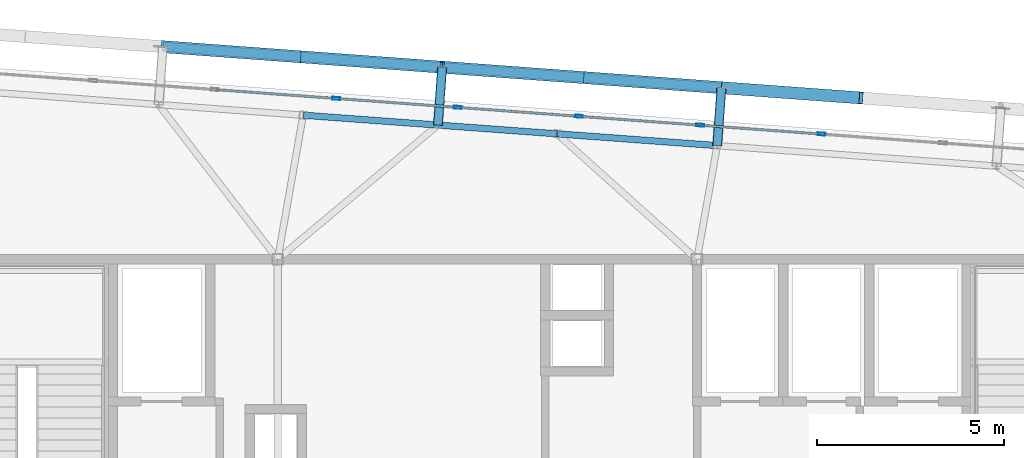
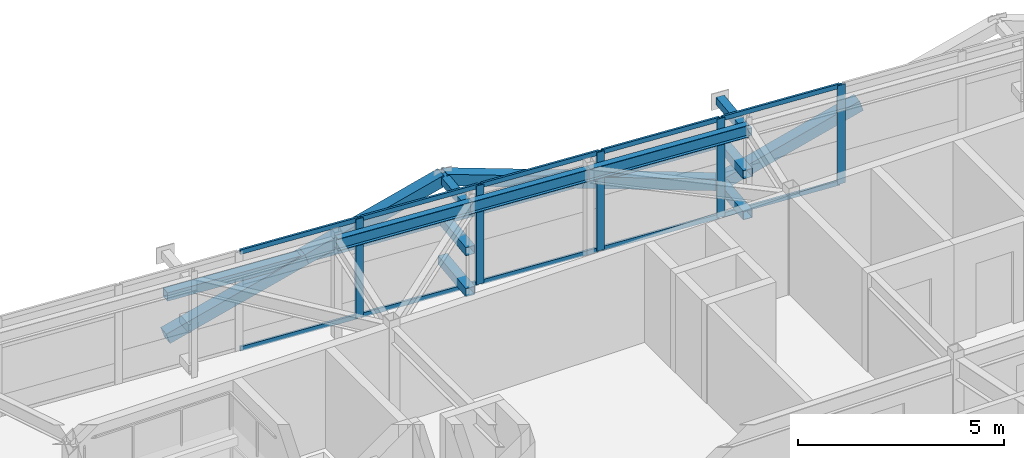
# One storey, part 27 of 42: 28 members, 3 beams, 1 element without a shape of its own.
"""IFC4 building model written with IfcOpenShell, lengths in metres."""

from ifc_helpers import new_model, si_unit, direction, frame, origin, origin_2d, place, context, subcontext, project, spatial, hollow_rectangle, i_section, extrude, source, transform, mapped, material, layer, layer_set, material_profile, profile_set, type_object, element, aggregate, save


model = new_model("IFC4")

# Units and contexts
model_context = context("Model", 3, precision=1e-05, world=origin(), true_north=direction((0.0, 1.0)))
body_context = subcontext(model_context, "Body", "Model", "MODEL_VIEW")
ifc_project = project(units=[si_unit("LENGTHUNIT", "METRE"), si_unit("AREAUNIT", "SQUARE_METRE"), si_unit("VOLUMEUNIT", "CUBIC_METRE"), si_unit("PLANEANGLEUNIT", "RADIAN"), si_unit("MASSUNIT", "GRAM", prefix="KILO")], contexts=[model_context])

# Site, building, storey
site_placement = place(None, origin())
site = spatial("IfcSite", under=ifc_project, at=site_placement, CompositionType="ELEMENT")
building_placement = place(site_placement, origin())
building = spatial("IfcBuilding", under=site, at=building_placement, Name="Taldren Reach Tower", CompositionType="ELEMENT")
storey_placement = place(building_placement, frame((0.0, 0.0, 220.85009765625)))
storey = spatial("IfcBuildingStorey", under=building, at=storey_placement, Name="L67", CompositionType="ELEMENT", Elevation=220.85009765625)

# Members
ifc_material_1 = material(Name="Steel Gr 350 (C350L0)", Category="steel")
ifc_material_profile_1 = material_profile(ifc_material_1, hollow_rectangle(XDim=0.25, YDim=0.25, WallThickness=0.010009765625, at=origin_2d()), Name="250x250x10.0SHS")
ifc_profile_set_1 = profile_set([ifc_material_profile_1], Name="Steel Gr 350 (C350L0)")
member_type_1 = type_object("IfcMemberType", Name="MB-POST250", PredefinedType="POST", material=ifc_profile_set_1)
shared_shape_1 = source(origin(), body_context, "Body", "SweptSolid", [
    extrude(hollow_rectangle(XDim=0.25, YDim=0.25, WallThickness=0.010009765625, at=origin_2d()), origin(), (0.0, 0.0, 1.0), 1.550048828125),
])
for number, where, z_axis, x_axis, name in (
    (1, (32.279541015625, 35.583251953125, 0.219970703125), (0.07323929162, 0.997314396849, 0.0), (-0.997314396849, 0.07323929162, 0.0), "Exoskeleton base diaphragm tie strut B5-N3 L67"),
    (2, (39.739501953125, 35.035400390625, 0.219970703125), (0.07323929162, 0.997314396849, 0.0), (-0.997314396849, 0.07323929162, 0.0), "Exoskeleton base diaphragm tie strut B5-N4 L67"),
    (3, (32.279541015625, 35.583251953125, 1.434814453125), (0.07323929162, 0.997314396849, 0.0), (-0.997314396849, 0.07323929162, 0.0), "Exoskeleton mid-tier diaphragm tie B5-N3 L67"),
    (4, (39.739501953125, 35.035400390625, 1.434814453125), (0.07323929162, 0.997314396849, 0.0), (-0.997314396849, 0.07323929162, 0.0), "Exoskeleton mid-tier diaphragm tie B5-N4 L67"),
):
    element("IfcMember", number, at=place(storey_placement, frame(where, z_axis=z_axis, x_axis=x_axis)), inside=storey, type_object=member_type_1, Name=name, PredefinedType="POST", context=body_context, shape_type="MappedRepresentation", body=[
        mapped(shared_shape_1, transform((0.0, 0.0, 0.0), scale=1.0)),
    ])
ifc_material_2 = material(Name="Steel Gr 450 (C450L0)", Category="steel")
ifc_material_profile_2 = material_profile(ifc_material_2, hollow_rectangle(XDim=0.219970703125, YDim=0.219970703125, WallThickness=0.00830078125, at=origin_2d()), Name="220x220x8.2SHS")
ifc_profile_set_2 = profile_set([ifc_material_profile_2], Name="Steel Gr 450 (C450L0)")
member_type_2 = type_object("IfcMemberType", Name="MB-TIE219", PredefinedType="STRUT", material=ifc_profile_set_2)
shared_shape_2 = source(origin(), body_context, "Body", "SweptSolid", [
    extrude(hollow_rectangle(XDim=0.219970703125, YDim=0.219970703125, WallThickness=0.00830078125, at=origin_2d()), origin(), (0.0, 0.0, 1.0), 1.550048828125),
])
for number, where, z_axis, x_axis, name in (
    (5, (32.279541015625, 35.583251953125, 2.64990234375), (0.07323929162, 0.997314396849, 0.0), (-0.997314396849, 0.07323929162, 0.0), "Exoskeleton diaphragm tie strut B5-N3 L67"),
    (6, (39.739501953125, 35.035400390625, 2.64990234375), (0.07323929162, 0.997314396849, 0.0), (-0.997314396849, 0.07323929162, 0.0), "Exoskeleton diaphragm tie strut B5-N4 L67"),
):
    element("IfcMember", number, at=place(storey_placement, frame(where, z_axis=z_axis, x_axis=x_axis)), inside=storey, type_object=member_type_2, Name=name, PredefinedType="STRUT", context=body_context, shape_type="MappedRepresentation", body=[
        mapped(shared_shape_2, transform((0.0, 0.0, 0.0), scale=1.0)),
    ])

# Beams
ifc_material_3 = material(Name="Steel Gr 350 (350PLUS)", Category="steel")
ifc_material_profile_3 = material_profile(ifc_material_3, i_section(OverallWidth=0.172119140625, OverallDepth=0.35888671875, WebThickness=0.008056640625, FlangeThickness=0.012939453125, at=origin_2d()), Name="360UB56.7")
ifc_profile_set_3 = profile_set([ifc_material_profile_3], Name="Steel Gr 350 (350PLUS)")
beam_type = type_object("IfcBeamType", Name="SP-UB360", PredefinedType="SPANDREL", material=ifc_profile_set_3)
shared_shape_3 = source(origin(), body_context, "Body", "SweptSolid", [
    extrude(i_section(OverallWidth=0.172119140625, OverallDepth=0.35888671875, WebThickness=0.008056640625, FlangeThickness=0.012939453125, at=origin_2d()), origin(), (0.0, 0.0, 1.0), 4.2900390625),
])
beam_1_placement = place(storey_placement, frame((39.739501953125, 35.035400390625, 2.75048828125), z_axis=(-0.997314292471, 0.073240712948, 0.0), x_axis=(-0.073240712948, -0.997314292471, 0.0)))
element("IfcBeam", 7, at=beam_1_placement, inside=storey, type_object=beam_type, Name="Perimeter spandrel B5 N4-PJN2 L67", PredefinedType="SPANDREL", context=body_context, shape_type="MappedRepresentation", body=[
    mapped(shared_shape_3, transform((0.0, 0.0, 0.0), scale=1.0)),
])
shared_shape_4 = source(origin(), body_context, "Body", "SweptSolid", [
    extrude(i_section(OverallWidth=0.172119140625, OverallDepth=0.35888671875, WebThickness=0.008056640625, FlangeThickness=0.012939453125, at=origin_2d()), origin(), (0.0, 0.0, 1.0), 3.18994140625),
])
beam_2_placement = place(storey_placement, frame((35.4609375, 35.349609375, 2.75048828125), z_axis=(-0.99731412404, 0.073243006424, 0.0), x_axis=(-0.073243006424, -0.99731412404, 0.0)))
element("IfcBeam", 8, at=beam_2_placement, inside=storey, type_object=beam_type, Name="Perimeter spandrel B5 PJN2-N3 L67", PredefinedType="SPANDREL", context=body_context, shape_type="MappedRepresentation", body=[
    mapped(shared_shape_4, transform((0.0, 0.0, 0.0), scale=1.0)),
])
shared_shape_5 = source(origin(), body_context, "Body", "SweptSolid", [
    extrude(i_section(OverallWidth=0.172119140625, OverallDepth=0.35888671875, WebThickness=0.008056640625, FlangeThickness=0.012939453125, at=origin_2d()), origin(), (0.0, 0.0, 1.0), 3.610107421875),
])
beam_3_placement = place(storey_placement, frame((32.279541015625, 35.583251953125, 2.75048828125), z_axis=(-0.997314240042, 0.073241426864, 0.0), x_axis=(-0.073241426864, -0.997314240042, 0.0)))
element("IfcBeam", 9, at=beam_3_placement, inside=storey, type_object=beam_type, Name="Perimeter spandrel B5 N3-PJN1 L67", PredefinedType="SPANDREL", context=body_context, shape_type="MappedRepresentation", body=[
    mapped(shared_shape_5, transform((0.0, 0.0, 0.0), scale=1.0)),
])

# Members
ifc_material_profile_4 = material_profile(ifc_material_2, hollow_rectangle(XDim=0.324951171875, YDim=0.324951171875, WallThickness=0.0126953125, at=origin_2d()), Name="325x325x12.7SHS")
ifc_profile_set_4 = profile_set([ifc_material_profile_4], Name="Steel Gr 450 (C450L0)")
member_type_3 = type_object("IfcMemberType", Name="MB-BR324", PredefinedType="BRACE", material=ifc_profile_set_4)
shared_shape_6 = source(origin(), body_context, "Body", "SweptSolid", [
    extrude(hollow_rectangle(XDim=0.324951171875, YDim=0.324951171875, WallThickness=0.0126953125, at=origin_2d()), origin(), (0.0, 0.0, 1.0), 3.932373046875),
])
for number, where, z_axis, x_axis, name in (
    (10, (24.93310546875, 37.677001953125, 0.219970703125), (0.948529326954, -0.06965898055, 0.308933232813), (0.07324169103, 0.997314220642, 0.0), "Exoskeleton Diagrid Brace B5-N2 L67"),
    (11, (28.6630859375, 37.403076171875, 1.434814453125), (0.948511132845, -0.069657644394, 0.308989390507), (0.07324169103, 0.997314220642, 0.0), "Exoskeleton Diagrid Brace B5-N2 L67"),
    (12, (39.85302734375, 36.581298828125, 0.219970703125), (-0.948529326954, 0.06965898055, 0.308933232813), (-0.07324169103, -0.997314220642, 0.0), "Exoskeleton Diagrid Brace B5-N3 L67"),
    (13, (36.123046875, 36.855224609375, 1.434814453125), (-0.948511132845, 0.069657644394, 0.308989390507), (-0.07324169103, -0.997314220642, 0.0), "Exoskeleton Diagrid Brace B5-N3 L67"),
    (14, (39.85302734375, 36.581298828125, 0.219970703125), (0.948529326954, -0.06965898055, 0.308933232813), (0.07324169103, 0.997314220642, 0.0), "Exoskeleton Diagrid Brace B5-N4 L67"),
):
    element("IfcMember", number, at=place(storey_placement, frame(where, z_axis=z_axis, x_axis=x_axis)), inside=storey, type_object=member_type_3, Name=name, PredefinedType="BRACE", context=body_context, shape_type="MappedRepresentation", body=[
        mapped(shared_shape_6, transform((0.0, 0.0, 0.0), scale=1.0)),
    ])
shared_shape_7 = source(origin(), body_context, "Body", "SweptSolid", [
    extrude(hollow_rectangle(XDim=0.25, YDim=0.25, WallThickness=0.010009765625, at=origin_2d()), origin(), (0.0, 0.0, 1.0), 7.47998046875),
])
for number, where, z_axis, x_axis, name in (
    (15, (24.93310546875, 37.677001953125, 1.434814453125), (0.997314220642, -0.07324169103, 0.0), (0.07324169103, 0.997314220642, 0.0), "Exoskeleton mid-height ring chord B5-N2 L67"),
    (16, (32.39306640625, 37.129150390625, 1.434814453125), (0.997314220642, -0.07324169103, 0.0), (0.07324169103, 0.997314220642, 0.0), "Exoskeleton mid-height ring chord B5-N3 L67"),
):
    element("IfcMember", number, at=place(storey_placement, frame(where, z_axis=z_axis, x_axis=x_axis)), inside=storey, type_object=member_type_1, Name=name, PredefinedType="POST", context=body_context, shape_type="MappedRepresentation", body=[
        mapped(shared_shape_7, transform((0.0, 0.0, 0.0), scale=1.0)),
    ])

# Curtain wall, members
ifc_material_4 = material(Name="Aluminium and Low-E Glass Unitised System", Category="aluminium")
ifc_layer = layer(ifc_material_4, 0.159912109375)
ifc_layer_set = layer_set([ifc_layer], Name="Aluminium and Low-E Glass Unitised System")
curtain_wall_type = type_object("IfcCurtainWallType", Name="CW-SYS-6", PredefinedType="NOTDEFINED", material=ifc_layer_set)
curtain_wall_placement = place(storey_placement, origin())
curtain_wall = element("IfcCurtainWall", 17, at=curtain_wall_placement, inside=storey, type_object=curtain_wall_type, Name="Unitised curtain wall CW-L67-N", PredefinedType="NOTDEFINED")
ifc_material_5 = material(Name="Anodised Aluminium 6063-T6", Category="aluminium")
ifc_material_profile_5 = material_profile(ifc_material_5, hollow_rectangle(XDim=0.074951171875, YDim=0.2099609375, WallThickness=0.00439453125, at=origin_2d()), Name="ALU-210x75x4.5RHS")
ifc_profile_set_5 = profile_set([ifc_material_profile_5], Name="Anodised Aluminium 6063-T6")
member_type_4 = type_object("IfcMemberType", Name="CW-MUL-200", PredefinedType="MULLION", material=ifc_profile_set_5)
shared_shape_8 = source(origin(), body_context, "Body", "SweptSolid", [
    extrude(hollow_rectangle(XDim=0.074951171875, YDim=0.2099609375, WallThickness=0.00439453125, at=origin_2d()), origin(), (0.0, 0.0, 1.0), 2.929931640625),
])
member_1_placement = place(storey_placement, frame((42.529541015625, 35.341796875, 0.0), z_axis=(0.0, 0.0, 1.0), x_axis=(-0.073238213716, -0.997314476006, 0.0)))
member_1 = element("IfcMember", 18, at=member_1_placement, type_object=member_type_4, Name="CW-6 mullion 5", PredefinedType="MULLION", context=body_context, shape_type="MappedRepresentation", body=[
    mapped(shared_shape_8, transform((0.0, 0.0, 0.0), scale=1.0)),
])
member_2_placement = place(storey_placement, frame((39.2880859375, 35.579833984375, 0.0), z_axis=(0.0, 0.0, 1.0), x_axis=(-0.073238213716, -0.997314476006, 0.0)))
member_2 = element("IfcMember", 19, at=member_2_placement, type_object=member_type_4, Name="CW-6 mullion 6", PredefinedType="MULLION", context=body_context, shape_type="MappedRepresentation", body=[
    mapped(shared_shape_8, transform((0.0, 0.0, 0.0), scale=1.0)),
])
member_3_placement = place(storey_placement, frame((36.046875, 35.81787109375, 0.0), z_axis=(0.0, 0.0, 1.0), x_axis=(-0.073238213716, -0.997314476006, 0.0)))
member_3 = element("IfcMember", 20, at=member_3_placement, type_object=member_type_4, Name="CW-6 mullion 7", PredefinedType="MULLION", context=body_context, shape_type="MappedRepresentation", body=[
    mapped(shared_shape_8, transform((0.0, 0.0, 0.0), scale=1.0)),
])
member_4_placement = place(storey_placement, frame((32.8056640625, 36.055908203125, 0.0), z_axis=(0.0, 0.0, 1.0), x_axis=(-0.073238213716, -0.997314476006, 0.0)))
member_4 = element("IfcMember", 21, at=member_4_placement, type_object=member_type_4, Name="CW-6 mullion 8", PredefinedType="MULLION", context=body_context, shape_type="MappedRepresentation", body=[
    mapped(shared_shape_8, transform((0.0, 0.0, 0.0), scale=1.0)),
])
member_5_placement = place(storey_placement, frame((29.564453125, 36.2939453125, 0.0), z_axis=(0.0, 0.0, 1.0), x_axis=(-0.073238213716, -0.997314476006, 0.0)))
member_5 = element("IfcMember", 22, at=member_5_placement, type_object=member_type_4, Name="CW-6 mullion 9", PredefinedType="MULLION", context=body_context, shape_type="MappedRepresentation", body=[
    mapped(shared_shape_8, transform((0.0, 0.0, 0.0), scale=1.0)),
])
ifc_material_profile_6 = material_profile(ifc_material_5, hollow_rectangle(XDim=0.06005859375, YDim=0.135009765625, WallThickness=0.00341796875, at=origin_2d()), Name="ALU-135x60x3.5RHS")
ifc_profile_set_6 = profile_set([ifc_material_profile_6], Name="Anodised Aluminium 6063-T6")
member_type_5 = type_object("IfcMemberType", Name="CW-TRN-150", PredefinedType="USERDEFINED", material=ifc_profile_set_6)
shared_shape_9 = source(origin(), body_context, "Body", "SweptSolid", [
    extrude(hollow_rectangle(XDim=0.06005859375, YDim=0.135009765625, WallThickness=0.00341796875, at=origin_2d()), origin(), (0.0, 0.0, 1.0), 3.1748046875),
])
member_6_placement = place(storey_placement, frame((42.491943359375, 35.3447265625, 0.02978515625), z_axis=(-0.997316632709, 0.073208839104, 0.0), x_axis=(-0.073208839104, -0.997316632709, 0.0)))
member_6 = element("IfcMember", 23, at=member_6_placement, type_object=member_type_5, Name="CW-6 transom 5.1", ObjectType="TRANSOM", PredefinedType="USERDEFINED", context=body_context, shape_type="MappedRepresentation", body=[
    mapped(shared_shape_9, transform((0.0, 0.0, 0.0), scale=1.0)),
])
member_7_placement = place(storey_placement, frame((42.491943359375, 35.3447265625, 2.89990234375), z_axis=(-0.997316632709, 0.073208839104, 0.0), x_axis=(-0.073208839104, -0.997316632709, 0.0)))
member_7 = element("IfcMember", 24, at=member_7_placement, type_object=member_type_5, Name="CW-6 transom 5.2", ObjectType="TRANSOM", PredefinedType="USERDEFINED", context=body_context, shape_type="MappedRepresentation", body=[
    mapped(shared_shape_9, transform((0.0, 0.0, 0.0), scale=1.0)),
])
member_8_placement = place(storey_placement, frame((29.52685546875, 36.296630859375, 0.02978515625), z_axis=(-0.997311015151, 0.07328532635, 0.0), x_axis=(-0.07328532635, -0.997311015151, 0.0)))
member_8 = element("IfcMember", 25, at=member_8_placement, type_object=member_type_5, Name="CW-6 transom 9.1", ObjectType="TRANSOM", PredefinedType="USERDEFINED", context=body_context, shape_type="MappedRepresentation", body=[
    mapped(shared_shape_9, transform((0.0, 0.0, 0.0), scale=1.0)),
])
member_9_placement = place(storey_placement, frame((29.52685546875, 36.296630859375, 2.89990234375), z_axis=(-0.997311015151, 0.07328532635, 0.0), x_axis=(-0.07328532635, -0.997311015151, 0.0)))
member_9 = element("IfcMember", 26, at=member_9_placement, type_object=member_type_5, Name="CW-6 transom 9.2", ObjectType="TRANSOM", PredefinedType="USERDEFINED", context=body_context, shape_type="MappedRepresentation", body=[
    mapped(shared_shape_9, transform((0.0, 0.0, 0.0), scale=1.0)),
])
shared_shape_10 = source(origin(), body_context, "Body", "SweptSolid", [
    extrude(hollow_rectangle(XDim=0.06005859375, YDim=0.135009765625, WallThickness=0.00341796875, at=origin_2d()), origin(), (0.0, 0.0, 1.0), 3.175048828125),
])
member_10_placement = place(storey_placement, frame((39.250732421875, 35.582763671875, 0.02978515625), z_axis=(-0.99731704481, 0.073203224877, 0.0), x_axis=(-0.073203224877, -0.99731704481, 0.0)))
member_10 = element("IfcMember", 27, at=member_10_placement, type_object=member_type_5, Name="CW-6 transom 6.1", ObjectType="TRANSOM", PredefinedType="USERDEFINED", context=body_context, shape_type="MappedRepresentation", body=[
    mapped(shared_shape_10, transform((0.0, 0.0, 0.0), scale=1.0)),
])
member_11_placement = place(storey_placement, frame((39.250732421875, 35.582763671875, 2.89990234375), z_axis=(-0.99731704481, 0.073203224877, 0.0), x_axis=(-0.073203224877, -0.99731704481, 0.0)))
member_11 = element("IfcMember", 28, at=member_11_placement, type_object=member_type_5, Name="CW-6 transom 6.2", ObjectType="TRANSOM", PredefinedType="USERDEFINED", context=body_context, shape_type="MappedRepresentation", body=[
    mapped(shared_shape_10, transform((0.0, 0.0, 0.0), scale=1.0)),
])
member_12_placement = place(storey_placement, frame((36.009521484375, 35.82080078125, 0.02978515625), z_axis=(-0.99731704481, 0.073203224877, 0.0), x_axis=(-0.073203224877, -0.99731704481, 0.0)))
member_12 = element("IfcMember", 29, at=member_12_placement, type_object=member_type_5, Name="CW-6 transom 7.1", ObjectType="TRANSOM", PredefinedType="USERDEFINED", context=body_context, shape_type="MappedRepresentation", body=[
    mapped(shared_shape_10, transform((0.0, 0.0, 0.0), scale=1.0)),
])
member_13_placement = place(storey_placement, frame((36.009521484375, 35.82080078125, 2.89990234375), z_axis=(-0.99731704481, 0.073203224877, 0.0), x_axis=(-0.073203224877, -0.99731704481, 0.0)))
member_13 = element("IfcMember", 30, at=member_13_placement, type_object=member_type_5, Name="CW-6 transom 7.2", ObjectType="TRANSOM", PredefinedType="USERDEFINED", context=body_context, shape_type="MappedRepresentation", body=[
    mapped(shared_shape_10, transform((0.0, 0.0, 0.0), scale=1.0)),
])
member_14_placement = place(storey_placement, frame((32.768310546875, 36.05859375, 0.02978515625), z_axis=(-0.997311428111, 0.073279706322, 0.0), x_axis=(-0.073279706322, -0.997311428111, 0.0)))
member_14 = element("IfcMember", 31, at=member_14_placement, type_object=member_type_5, Name="CW-6 transom 8.1", ObjectType="TRANSOM", PredefinedType="USERDEFINED", context=body_context, shape_type="MappedRepresentation", body=[
    mapped(shared_shape_10, transform((0.0, 0.0, 0.0), scale=1.0)),
])
member_15_placement = place(storey_placement, frame((32.768310546875, 36.05859375, 2.89990234375), z_axis=(-0.997311428111, 0.073279706322, 0.0), x_axis=(-0.073279706322, -0.997311428111, 0.0)))
member_15 = element("IfcMember", 32, at=member_15_placement, type_object=member_type_5, Name="CW-6 transom 8.2", ObjectType="TRANSOM", PredefinedType="USERDEFINED", context=body_context, shape_type="MappedRepresentation", body=[
    mapped(shared_shape_10, transform((0.0, 0.0, 0.0), scale=1.0)),
])
aggregate(curtain_wall, [member_1, member_2, member_3, member_4, member_5, member_6, member_7, member_10, member_11, member_12, member_13, member_14, member_15, member_8, member_9])

save(model, "model.ifc")
